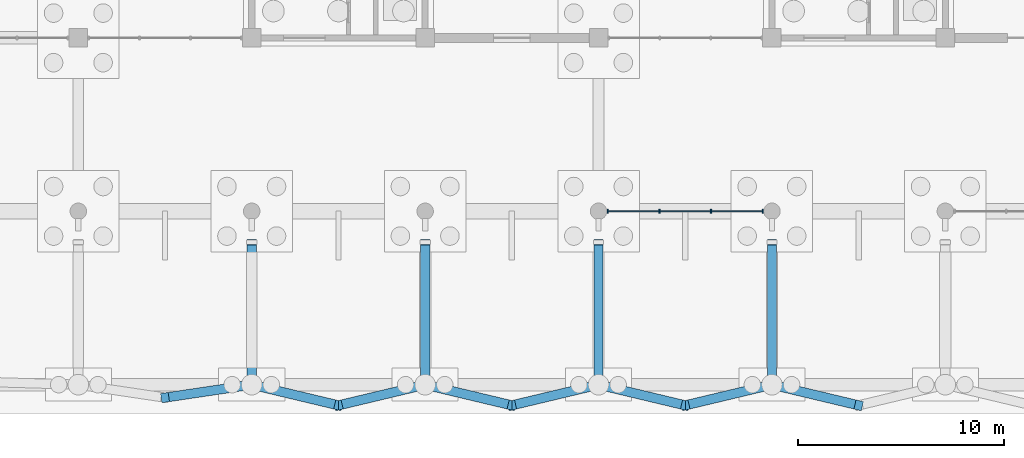
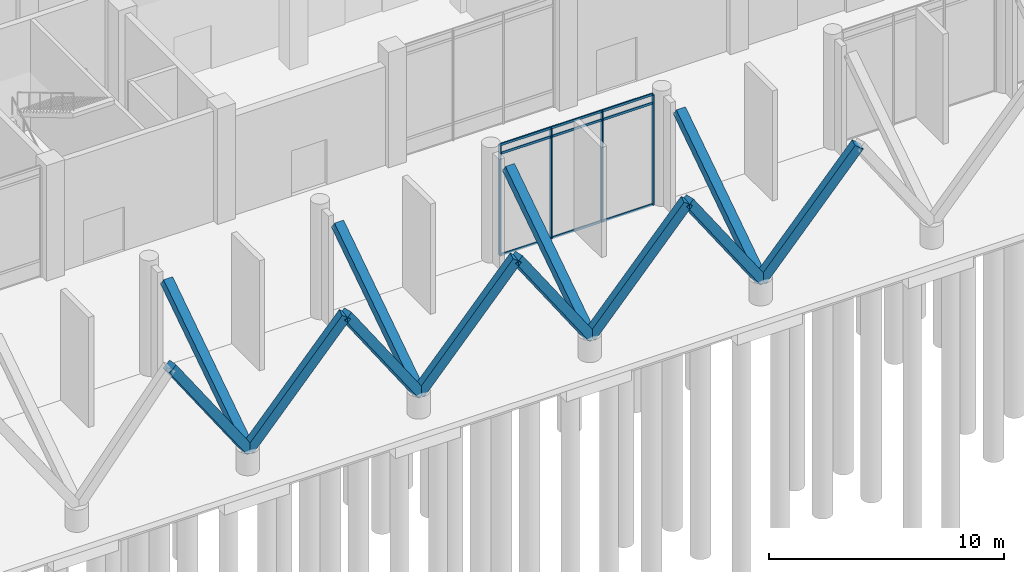
# One storey, part 18 of 72: 25 members, 1 element without a shape of its own.
"""IFC4 building model written with IfcOpenShell, lengths in metres."""

from ifc_helpers import new_model, si_unit, direction, frame, origin, origin_2d, place, context, subcontext, project, spatial, rectangle, extrude, material, layer, layer_set, material_profile, profile_set, type_object, element, aggregate, save


model = new_model("IFC4")

# Units and contexts
model_context = context("Model", 3, precision=1e-05, world=origin(), true_north=direction((0.0, 1.0)))
body_context = subcontext(model_context, "Body", "Model", "MODEL_VIEW")
ifc_project = project(units=[si_unit("LENGTHUNIT", "METRE"), si_unit("AREAUNIT", "SQUARE_METRE"), si_unit("VOLUMEUNIT", "CUBIC_METRE"), si_unit("PLANEANGLEUNIT", "RADIAN"), si_unit("MASSUNIT", "GRAM", prefix="KILO")], contexts=[model_context])

# Site, building, storey
site_placement = place(None, origin())
site = spatial("IfcSite", under=ifc_project, at=site_placement, CompositionType="ELEMENT")
building_placement = place(site_placement, origin())
building = spatial("IfcBuilding", under=site, at=building_placement, Name="Qawsi Khor Wholesale Market", CompositionType="ELEMENT")
storey_placement = place(building_placement, origin())
storey = spatial("IfcBuildingStorey", under=building, at=storey_placement, Name="L00", CompositionType="ELEMENT", Elevation=0.0)

# Curtain wall, members
ifc_material_1 = material(Name="Aluminium Anodised Bronze", Category="aluminium")
ifc_layer = layer(ifc_material_1, 0.159912109375, Name="Aluminium Anodised Bronze")
ifc_layer_set = layer_set([ifc_layer], Name="Aluminium Anodised Bronze")
curtain_wall_type = type_object("IfcCurtainWallType", Name="Boulevard Arcade Glazed Curtain Wall CW-01", PredefinedType="NOTDEFINED", material=ifc_layer_set)
curtain_wall_placement = place(storey_placement, origin())
curtain_wall = element("IfcCurtainWall", 1, at=curtain_wall_placement, inside=storey, type_object=curtain_wall_type, Name="Curtain wall CW-CW-01-L00-159", PredefinedType="NOTDEFINED")
ifc_material_profile_1 = material_profile(ifc_material_1, rectangle(XDim=0.06494140625, YDim=0.179931640625, at=origin_2d()), Name="ALU MULLION 65x180")
ifc_profile_set_1 = profile_set([ifc_material_profile_1], Name="Aluminium Anodised Bronze")
member_type_1 = type_object("IfcMemberType", Name="Curtain Wall Mullion CW-01 ALU MULLION 65x180", PredefinedType="MULLION", material=ifc_profile_set_1)
member_1_placement = place(storey_placement, frame((84.4423828125, 0.0, -0.02001953125), z_axis=(0.0, 0.0, 1.0), x_axis=(1.0, 0.0, 0.0)))
member_1 = element("IfcMember", 2, at=member_1_placement, type_object=member_type_1, Name="Mullion CW-CW-01-L00-159-M00", PredefinedType="MULLION", context=body_context, shape_type="SweptSolid", body=[
    extrude(rectangle(XDim=0.06494140625, YDim=0.179931640625, at=origin_2d()), origin(), (0.0, 0.0, 1.0), 5.739990234375),
])
member_2_placement = place(storey_placement, frame((86.947509765625, 0.0, -0.02001953125), z_axis=(0.0, 0.0, 1.0), x_axis=(1.0, 0.0, 0.0)))
member_2 = element("IfcMember", 3, at=member_2_placement, type_object=member_type_1, Name="Mullion CW-CW-01-L00-159-M01", PredefinedType="MULLION", context=body_context, shape_type="SweptSolid", body=[
    extrude(rectangle(XDim=0.06494140625, YDim=0.179931640625, at=origin_2d()), origin(), (0.0, 0.0, 1.0), 5.739990234375),
])
member_3_placement = place(storey_placement, frame((89.452392578125, 0.0, -0.02001953125), z_axis=(0.0, 0.0, 1.0), x_axis=(1.0, 0.0, 0.0)))
member_3 = element("IfcMember", 4, at=member_3_placement, type_object=member_type_1, Name="Mullion CW-CW-01-L00-159-M02", PredefinedType="MULLION", context=body_context, shape_type="SweptSolid", body=[
    extrude(rectangle(XDim=0.06494140625, YDim=0.179931640625, at=origin_2d()), origin(), (0.0, 0.0, 1.0), 5.739990234375),
])
member_4_placement = place(storey_placement, frame((91.95751953125, 0.0, -0.02001953125), z_axis=(0.0, 0.0, 1.0), x_axis=(1.0, 0.0, 0.0)))
member_4 = element("IfcMember", 5, at=member_4_placement, type_object=member_type_1, Name="Mullion CW-CW-01-L00-159-M03", PredefinedType="MULLION", context=body_context, shape_type="SweptSolid", body=[
    extrude(rectangle(XDim=0.06494140625, YDim=0.179931640625, at=origin_2d()), origin(), (0.0, 0.0, 1.0), 5.739990234375),
])
ifc_material_profile_2 = material_profile(ifc_material_1, rectangle(XDim=0.06005859375, YDim=0.1201171875, at=origin_2d()), Name="ALU TRANSOM 60x120")
ifc_profile_set_2 = profile_set([ifc_material_profile_2], Name="Aluminium Anodised Bronze")
member_type_2 = type_object("IfcMemberType", Name="Curtain Wall Transom CW-01 ALU TRANSOM 60x120", PredefinedType="USERDEFINED", material=ifc_profile_set_2)
member_5_placement = place(storey_placement, frame((84.4423828125, 0.0, 0.0), z_axis=(1.0, 0.0, 0.0), x_axis=(0.0, 1.0, 0.0)))
member_5 = element("IfcMember", 6, at=member_5_placement, type_object=member_type_2, Name="Transom CW-CW-01-L00-159-T0_00", ObjectType="TRANSOM", PredefinedType="USERDEFINED", context=body_context, shape_type="SweptSolid", body=[
    extrude(rectangle(XDim=0.06005859375, YDim=0.1201171875, at=origin_2d()), origin(), (0.0, 0.0, 1.0), 2.505126953125),
])
member_6_placement = place(storey_placement, frame((86.947509765625, 0.0, 0.0), z_axis=(1.0, 0.0, 0.0), x_axis=(0.0, 1.0, 0.0)))
member_6 = element("IfcMember", 7, at=member_6_placement, type_object=member_type_2, Name="Transom CW-CW-01-L00-159-T0_01", ObjectType="TRANSOM", PredefinedType="USERDEFINED", context=body_context, shape_type="SweptSolid", body=[
    extrude(rectangle(XDim=0.06005859375, YDim=0.1201171875, at=origin_2d()), origin(), (0.0, 0.0, 1.0), 2.5048828125),
])
member_7_placement = place(storey_placement, frame((89.452392578125, 0.0, 0.0), z_axis=(1.0, 0.0, 0.0), x_axis=(0.0, 1.0, 0.0)))
member_7 = element("IfcMember", 8, at=member_7_placement, type_object=member_type_2, Name="Transom CW-CW-01-L00-159-T0_02", ObjectType="TRANSOM", PredefinedType="USERDEFINED", context=body_context, shape_type="SweptSolid", body=[
    extrude(rectangle(XDim=0.06005859375, YDim=0.1201171875, at=origin_2d()), origin(), (0.0, 0.0, 1.0), 2.505126953125),
])
member_8_placement = place(storey_placement, frame((84.4423828125, 0.0, 5.27001953125), z_axis=(1.0, 0.0, 0.0), x_axis=(0.0, 1.0, 0.0)))
member_8 = element("IfcMember", 9, at=member_8_placement, type_object=member_type_2, Name="Transom CW-CW-01-L00-159-T1_00", ObjectType="TRANSOM", PredefinedType="USERDEFINED", context=body_context, shape_type="SweptSolid", body=[
    extrude(rectangle(XDim=0.06005859375, YDim=0.1201171875, at=origin_2d()), origin(), (0.0, 0.0, 1.0), 2.505126953125),
])
member_9_placement = place(storey_placement, frame((86.947509765625, 0.0, 5.27001953125), z_axis=(1.0, 0.0, 0.0), x_axis=(0.0, 1.0, 0.0)))
member_9 = element("IfcMember", 10, at=member_9_placement, type_object=member_type_2, Name="Transom CW-CW-01-L00-159-T1_01", ObjectType="TRANSOM", PredefinedType="USERDEFINED", context=body_context, shape_type="SweptSolid", body=[
    extrude(rectangle(XDim=0.06005859375, YDim=0.1201171875, at=origin_2d()), origin(), (0.0, 0.0, 1.0), 2.5048828125),
])
member_10_placement = place(storey_placement, frame((89.452392578125, 0.0, 5.27001953125), z_axis=(1.0, 0.0, 0.0), x_axis=(0.0, 1.0, 0.0)))
member_10 = element("IfcMember", 11, at=member_10_placement, type_object=member_type_2, Name="Transom CW-CW-01-L00-159-T1_02", ObjectType="TRANSOM", PredefinedType="USERDEFINED", context=body_context, shape_type="SweptSolid", body=[
    extrude(rectangle(XDim=0.06005859375, YDim=0.1201171875, at=origin_2d()), origin(), (0.0, 0.0, 1.0), 2.505126953125),
])
member_11_placement = place(storey_placement, frame((84.4423828125, 0.0, 5.719970703125), z_axis=(1.0, 0.0, 0.0), x_axis=(0.0, 1.0, 0.0)))
member_11 = element("IfcMember", 12, at=member_11_placement, type_object=member_type_2, Name="Transom CW-CW-01-L00-159-T2_00", ObjectType="TRANSOM", PredefinedType="USERDEFINED", context=body_context, shape_type="SweptSolid", body=[
    extrude(rectangle(XDim=0.06005859375, YDim=0.1201171875, at=origin_2d()), origin(), (0.0, 0.0, 1.0), 2.505126953125),
])
member_12_placement = place(storey_placement, frame((86.947509765625, 0.0, 5.719970703125), z_axis=(1.0, 0.0, 0.0), x_axis=(0.0, 1.0, 0.0)))
member_12 = element("IfcMember", 13, at=member_12_placement, type_object=member_type_2, Name="Transom CW-CW-01-L00-159-T2_01", ObjectType="TRANSOM", PredefinedType="USERDEFINED", context=body_context, shape_type="SweptSolid", body=[
    extrude(rectangle(XDim=0.06005859375, YDim=0.1201171875, at=origin_2d()), origin(), (0.0, 0.0, 1.0), 2.5048828125),
])
member_13_placement = place(storey_placement, frame((89.452392578125, 0.0, 5.719970703125), z_axis=(1.0, 0.0, 0.0), x_axis=(0.0, 1.0, 0.0)))
member_13 = element("IfcMember", 14, at=member_13_placement, type_object=member_type_2, Name="Transom CW-CW-01-L00-159-T2_02", ObjectType="TRANSOM", PredefinedType="USERDEFINED", context=body_context, shape_type="SweptSolid", body=[
    extrude(rectangle(XDim=0.06005859375, YDim=0.1201171875, at=origin_2d()), origin(), (0.0, 0.0, 1.0), 2.505126953125),
])
aggregate(curtain_wall, [member_1, member_2, member_3, member_4, member_5, member_6, member_7, member_8, member_9, member_10, member_11, member_12, member_13])

# Members
ifc_material_2 = material(Name="Concrete C40/50", Category="concrete")
ifc_material_profile_3 = material_profile(ifc_material_2, rectangle(XDim=0.449951171875, YDim=0.449951171875, at=origin_2d()), Name="RC 450x450")
ifc_profile_set_3 = profile_set([ifc_material_profile_3], Name="Concrete C40/50")
member_type_3 = type_object("IfcMemberType", Name="Sculpted Concrete V-Strut RC 450x450", PredefinedType="STRUT", material=ifc_profile_set_3)
member_14_placement = place(storey_placement, frame((67.199951171875, -8.39990234375, 1.050048828125), z_axis=(-0.563228562384, -0.083814748573, 0.82203933874), x_axis=(0.147190427432, -0.989108173089, 0.0)))
element("IfcMember", 15, at=member_14_placement, inside=storey, type_object=member_type_3, Name="Boulevard Raked Concrete V-Pier 07R", PredefinedType="STRUT", context=body_context, shape_type="SweptSolid", body=[
    extrude(rectangle(XDim=0.449951171875, YDim=0.449951171875, at=origin_2d()), origin(), (0.0, 0.0, 1.0), 7.45703125),
])
member_15_placement = place(storey_placement, frame((67.199951171875, -8.39990234375, 1.050048828125), z_axis=(0.560167526357, -0.133374771142, 0.817571717245), x_axis=(0.231623075633, 0.972805607937, 0.0)))
element("IfcMember", 16, at=member_15_placement, inside=storey, type_object=member_type_3, Name="Boulevard Raked Concrete V-Pier 08L", PredefinedType="STRUT", context=body_context, shape_type="SweptSolid", body=[
    extrude(rectangle(XDim=0.449951171875, YDim=0.449951171875, at=origin_2d()), origin(), (0.0, 0.0, 1.0), 7.49755859375),
])
member_16_placement = place(storey_placement, frame((75.60009765625, -8.39990234375, 1.050048828125), z_axis=(-0.560189870329, -0.133372338344, 0.817556804476), x_axis=(0.231610334544, -0.972808641477, 0.0)))
element("IfcMember", 17, at=member_16_placement, inside=storey, type_object=member_type_3, Name="Boulevard Raked Concrete V-Pier 08R", PredefinedType="STRUT", context=body_context, shape_type="SweptSolid", body=[
    extrude(rectangle(XDim=0.449951171875, YDim=0.449951171875, at=origin_2d()), origin(), (0.0, 0.0, 1.0), 7.497802734375),
])
member_17_placement = place(storey_placement, frame((67.199951171875, -8.39990234375, 1.050048828125), z_axis=(0.0, 0.833712125107, 0.552199323115), x_axis=(-1.0, 0.0, 0.0)))
element("IfcMember", 18, at=member_17_placement, inside=storey, type_object=member_type_3, Name="Boulevard Raked Concrete Back-Strut 08", PredefinedType="STRUT", context=body_context, shape_type="SweptSolid", body=[
    extrude(rectangle(XDim=0.449951171875, YDim=0.449951171875, at=origin_2d()), origin(), (0.0, 0.0, 1.0), 8.276123046875),
])
for number, where, z_axis, x_axis, name in (
    (19, (75.60009765625, -8.39990234375, 1.050048828125), (0.560167526357, -0.133374771142, 0.817571717245), (0.231623075633, 0.972805607937, 0.0), "Boulevard Raked Concrete V-Pier 09L"),
    (20, (84.0, -8.39990234375, 1.050048828125), (-0.560167526357, -0.133374771142, 0.817571717245), (0.231623075633, -0.972805607937, 0.0), "Boulevard Raked Concrete V-Pier 09R"),
):
    element("IfcMember", number, at=place(storey_placement, frame(where, z_axis=z_axis, x_axis=x_axis)), inside=storey, type_object=member_type_3, Name=name, PredefinedType="STRUT", context=body_context, shape_type="SweptSolid", body=[
        extrude(rectangle(XDim=0.449951171875, YDim=0.449951171875, at=origin_2d()), origin(), (0.0, 0.0, 1.0), 7.49755859375),
    ])
member_18_placement = place(storey_placement, frame((75.60009765625, -8.39990234375, 1.050048828125), z_axis=(0.0, 0.833712125107, 0.552199323115), x_axis=(-1.0, 0.0, 0.0)))
element("IfcMember", 21, at=member_18_placement, inside=storey, type_object=member_type_3, Name="Boulevard Raked Concrete Back-Strut 09", PredefinedType="STRUT", context=body_context, shape_type="SweptSolid", body=[
    extrude(rectangle(XDim=0.449951171875, YDim=0.449951171875, at=origin_2d()), origin(), (0.0, 0.0, 1.0), 8.276123046875),
])
for number, where, z_axis, x_axis, name in (
    (22, (84.0, -8.39990234375, 1.050048828125), (0.560167526357, -0.133374771142, 0.817571717245), (0.231623075633, 0.972805607937, 0.0), "Boulevard Raked Concrete V-Pier 10L"),
    (23, (92.39990234375, -8.39990234375, 1.050048828125), (-0.560167526357, -0.133374771142, 0.817571717245), (0.231623075633, -0.972805607937, 0.0), "Boulevard Raked Concrete V-Pier 10R"),
):
    element("IfcMember", number, at=place(storey_placement, frame(where, z_axis=z_axis, x_axis=x_axis)), inside=storey, type_object=member_type_3, Name=name, PredefinedType="STRUT", context=body_context, shape_type="SweptSolid", body=[
        extrude(rectangle(XDim=0.449951171875, YDim=0.449951171875, at=origin_2d()), origin(), (0.0, 0.0, 1.0), 7.49755859375),
    ])
member_19_placement = place(storey_placement, frame((84.0, -8.39990234375, 1.050048828125), z_axis=(0.0, 0.833712125107, 0.552199323115), x_axis=(-1.0, 0.0, 0.0)))
element("IfcMember", 24, at=member_19_placement, inside=storey, type_object=member_type_3, Name="Boulevard Raked Concrete Back-Strut 10", PredefinedType="STRUT", context=body_context, shape_type="SweptSolid", body=[
    extrude(rectangle(XDim=0.449951171875, YDim=0.449951171875, at=origin_2d()), origin(), (0.0, 0.0, 1.0), 8.276123046875),
])
member_20_placement = place(storey_placement, frame((92.39990234375, -8.39990234375, 1.050048828125), z_axis=(0.560189870329, -0.133372338344, 0.817556804476), x_axis=(0.231610334544, 0.972808641477, 0.0)))
element("IfcMember", 25, at=member_20_placement, inside=storey, type_object=member_type_3, Name="Boulevard Raked Concrete V-Pier 11L", PredefinedType="STRUT", context=body_context, shape_type="SweptSolid", body=[
    extrude(rectangle(XDim=0.449951171875, YDim=0.449951171875, at=origin_2d()), origin(), (0.0, 0.0, 1.0), 7.497802734375),
])
member_21_placement = place(storey_placement, frame((92.39990234375, -8.39990234375, 1.050048828125), z_axis=(0.0, 0.833712125107, 0.552199323115), x_axis=(-1.0, 0.0, 0.0)))
element("IfcMember", 26, at=member_21_placement, inside=storey, type_object=member_type_3, Name="Boulevard Raked Concrete Back-Strut 11", PredefinedType="STRUT", context=body_context, shape_type="SweptSolid", body=[
    extrude(rectangle(XDim=0.449951171875, YDim=0.449951171875, at=origin_2d()), origin(), (0.0, 0.0, 1.0), 8.276123046875),
])

save(model, "model.ifc")
